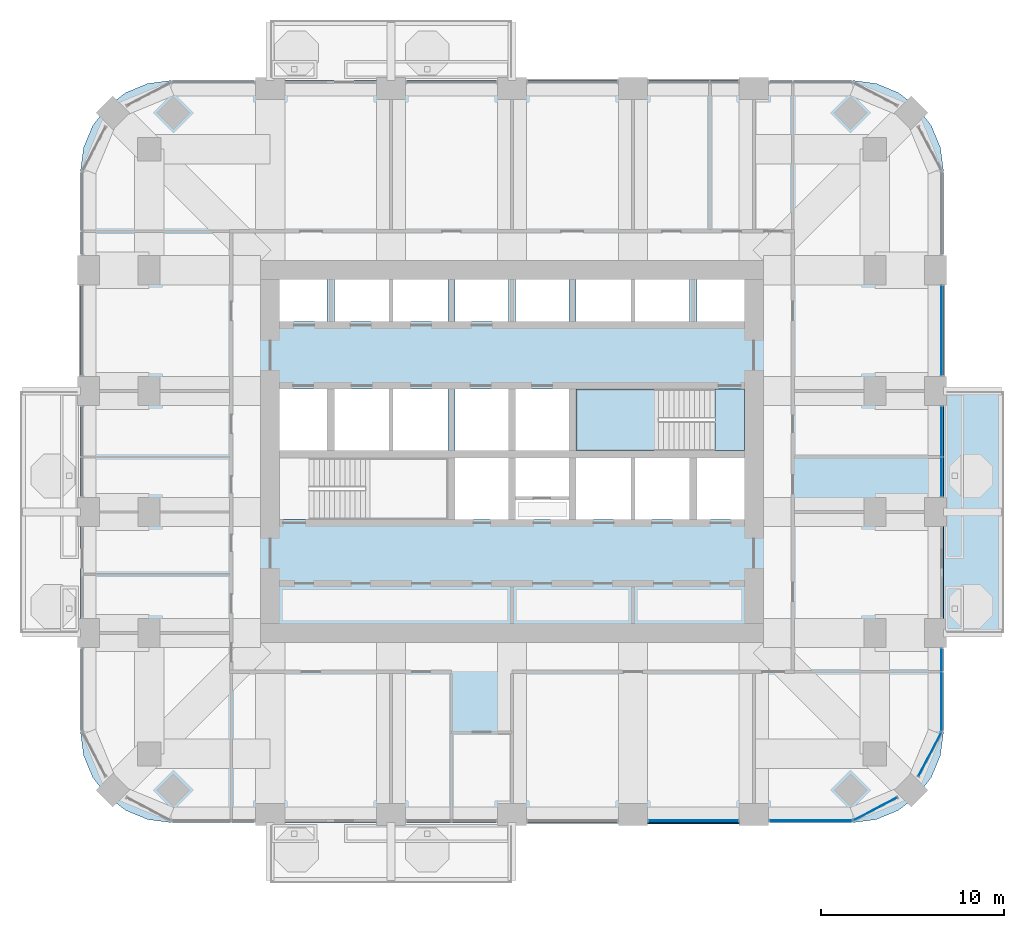
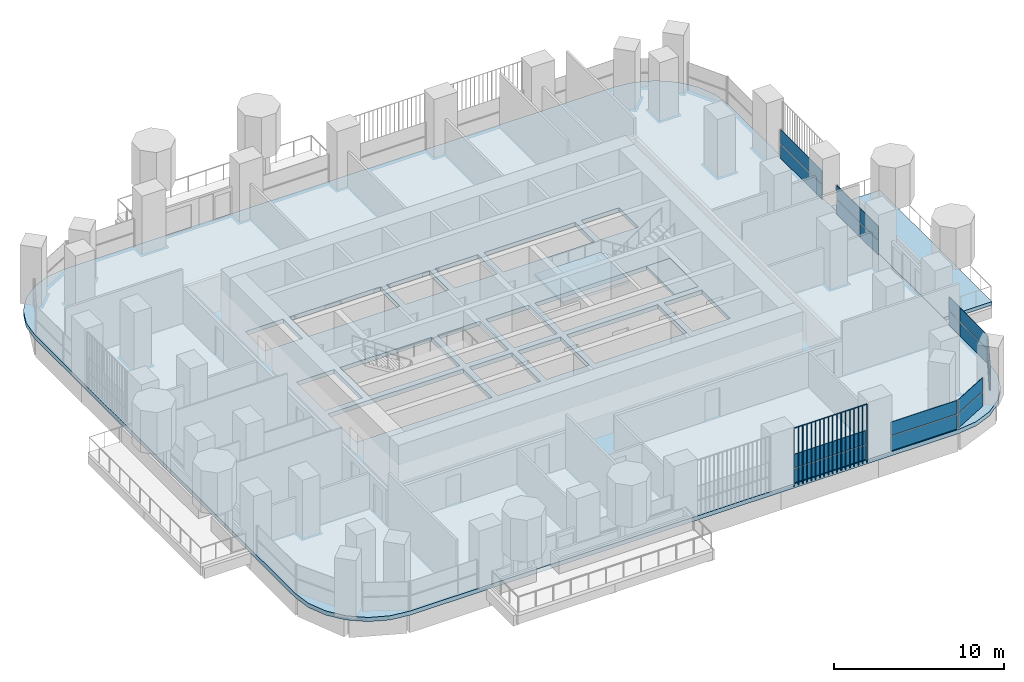
# One storey, part 9 of 20: 19 plates, 4 slabs, 8 elements without a shape of their own.
"""IFC4 building model written with IfcOpenShell, lengths in metres."""

from ifc_helpers import new_model, si_unit, direction, frame, origin, origin_2d, place, context, subcontext, project, spatial, polyline, rectangle, outline, extrude, material, layer, layer_set, type_object, element, aggregate, save


model = new_model("IFC4")

# Units and contexts
model_context = context("Model", 3, precision=1e-05, world=origin(), true_north=direction((0.0, 1.0)))
body_context = subcontext(model_context, "Body", "Model", "MODEL_VIEW")
ifc_project = project(units=[si_unit("LENGTHUNIT", "METRE"), si_unit("AREAUNIT", "SQUARE_METRE"), si_unit("VOLUMEUNIT", "CUBIC_METRE"), si_unit("PLANEANGLEUNIT", "RADIAN"), si_unit("MASSUNIT", "GRAM", prefix="KILO")], contexts=[model_context])

# Site, building, storey
site_placement = place(None, origin())
site = spatial("IfcSite", under=ifc_project, at=site_placement, CompositionType="ELEMENT")
building_placement = place(site_placement, origin())
building = spatial("IfcBuilding", under=site, at=building_placement, Name="Cobogo Forest Laboratory Tower", CompositionType="ELEMENT")
storey_placement = place(building_placement, frame((0.0, 0.0, 218.699951171875)))
storey = spatial("IfcBuildingStorey", under=building, at=storey_placement, Name="L50", CompositionType="ELEMENT", Elevation=218.699951171875)

# Slabs
ifc_material_1 = material(Name="Concrete HA-40 (C40/50)", Category="concrete")
ifc_layer_1 = layer(ifc_material_1, 0.25)
ifc_layer_set_1 = layer_set([ifc_layer_1], Name="Balcony slab 250")
slab_type_1 = type_object("IfcSlabType", Name="Balcony slab 250", PredefinedType="FLOOR", material=ifc_layer_set_1)
slab_1_placement = place(storey_placement, frame((0.0, 0.0, -0.25)))
element("IfcSlab", 1, at=slab_1_placement, inside=storey, type_object=slab_type_1, Name="Balcony BAL-E1 L50", PredefinedType="FLOOR", context=body_context, shape_type="SweptSolid", body=[
    extrude(outline(polyline([(49.949951171875, 13.199951171875), (53.25, 13.199951171875), (53.25, 26.39990234375), (49.949951171875, 26.39990234375), (49.949951171875, 13.199951171875)])), origin(), (0.0, 0.0, 1.0), 0.25),
])
ifc_layer_2 = layer(ifc_material_1, 0.300048828125)
ifc_layer_set_2 = layer_set([ifc_layer_2], Name="Floor slab 300")
slab_type_2 = type_object("IfcSlabType", Name="Floor slab 300", PredefinedType="FLOOR", material=ifc_layer_set_2)
slab_2_placement = place(storey_placement, frame((0.0, 0.0, -0.300048828125)))
element("IfcSlab", 2, at=slab_2_placement, inside=storey, type_object=slab_type_2, Name="L50 floor slab", PredefinedType="FLOOR", context=body_context, shape_type="SweptSolid", body=[
    extrude(outline(polyline([(45.0, 2.85009765625), (46.28125, 3.0185546875), (47.47509765625, 3.51318359375), (48.500244140625, 4.2998046875), (49.286865234375, 5.324951171875), (49.78125, 6.518798828125), (49.949951171875, 7.800048828125), (49.949951171875, 38.39990234375), (49.78125, 39.68115234375), (49.286865234375, 40.875), (48.500244140625, 41.900146484375), (47.47509765625, 42.686767578125), (46.28125, 43.181396484375), (45.0, 43.35009765625), (7.800048828125, 43.35009765625), (6.518798828125, 43.181396484375), (5.324951171875, 42.686767578125), (4.2998046875, 41.900146484375), (3.51318359375, 40.875), (3.0185546875, 39.68115234375), (2.85009765625, 38.39990234375), (2.85009765625, 7.800048828125), (3.0185546875, 6.518798828125), (3.51318359375, 5.324951171875), (4.2998046875, 4.2998046875), (5.324951171875, 3.51318359375), (6.518798828125, 3.0185546875), (7.800048828125, 2.85009765625), (45.0, 2.85009765625)]), holes=[polyline([(22.89990234375, 19.39990234375), (13.72509765625, 19.39990234375), (13.72509765625, 22.75), (22.89990234375, 22.75), (22.89990234375, 19.39990234375)]), polyline([(26.199951171875, 19.39990234375), (23.300048828125, 19.39990234375), (23.300048828125, 22.75), (26.199951171875, 22.75), (26.199951171875, 19.39990234375)]), polyline([(29.5, 19.39990234375), (26.60009765625, 19.39990234375), (26.60009765625, 22.75), (29.5, 22.75), (29.5, 19.39990234375)]), polyline([(36.10009765625, 22.75), (36.10009765625, 19.39990234375), (29.89990234375, 19.39990234375), (29.89990234375, 22.75), (36.10009765625, 22.75)]), polyline([(36.5, 19.39990234375), (36.5, 22.75), (39.074951171875, 22.75), (39.074951171875, 19.39990234375), (36.5, 19.39990234375)]), polyline([(16.300048828125, 23.14990234375), (13.72509765625, 23.14990234375), (13.72509765625, 26.5), (16.300048828125, 26.5), (16.300048828125, 23.14990234375)]), polyline([(22.89990234375, 26.5), (22.89990234375, 23.14990234375), (16.699951171875, 23.14990234375), (16.699951171875, 26.5), (22.89990234375, 26.5)]), polyline([(26.199951171875, 23.14990234375), (23.300048828125, 23.14990234375), (23.300048828125, 26.5), (26.199951171875, 26.5), (26.199951171875, 23.14990234375)]), polyline([(26.60009765625, 23.14990234375), (26.60009765625, 26.5), (29.5, 26.5), (29.5, 23.14990234375), (26.60009765625, 23.14990234375)]), polyline([(39.074951171875, 23.14990234375), (29.89990234375, 23.14990234375), (29.89990234375, 26.5), (39.074951171875, 26.5), (39.074951171875, 23.14990234375)]), polyline([(16.300048828125, 30.199951171875), (13.72509765625, 30.199951171875), (13.72509765625, 32.47509765625), (16.300048828125, 32.47509765625), (16.300048828125, 30.199951171875)]), polyline([(22.89990234375, 32.47509765625), (22.89990234375, 30.199951171875), (16.699951171875, 30.199951171875), (16.699951171875, 32.47509765625), (22.89990234375, 32.47509765625)]), polyline([(23.300048828125, 30.199951171875), (23.300048828125, 32.47509765625), (26.199951171875, 32.47509765625), (26.199951171875, 30.199951171875), (23.300048828125, 30.199951171875)]), polyline([(29.5, 30.199951171875), (26.60009765625, 30.199951171875), (26.60009765625, 32.47509765625), (29.5, 32.47509765625), (29.5, 30.199951171875)]), polyline([(36.10009765625, 32.47509765625), (36.10009765625, 30.199951171875), (29.89990234375, 30.199951171875), (29.89990234375, 32.47509765625), (36.10009765625, 32.47509765625)]), polyline([(36.5, 30.199951171875), (36.5, 32.47509765625), (39.074951171875, 32.47509765625), (39.074951171875, 30.199951171875), (36.5, 30.199951171875)])]), origin(), (0.0, 0.0, 1.0), 0.300048828125),
])

# Curtain wall, plates
ifc_material_2 = material(Name="Aluminium curtain wall", Category="aluminium")
curtain_wall_type = type_object("IfcCurtainWallType", Name="CW-2 unitised curtain wall, solar control glazing, laboratory floors zones C and D", PredefinedType="USERDEFINED", material=ifc_material_2)
curtain_wall_1_placement = place(storey_placement, origin())
curtain_wall_1 = element("IfcCurtainWall", 3, at=curtain_wall_1_placement, inside=storey, type_object=curtain_wall_type, Name="Curtain wall 05 L50", ObjectType="UNITISED CURTAIN WALL", PredefinedType="USERDEFINED")
ifc_material_3 = material(Name="Solar control insulated glass", Category="glass")
ifc_layer_3 = layer(ifc_material_3, 0.031982421875)
ifc_layer_set_3 = layer_set([ifc_layer_3], Name="GP-2 solar control glass unit 32")
plate_type_1 = type_object("IfcPlateType", Name="GP-2 solar control glass unit 32", PredefinedType="CURTAIN_PANEL", material=ifc_layer_set_3)
plate_1_placement = place(storey_placement, frame((36.300048828125, 2.949951171875, 0.0), z_axis=(0.0, 0.0, 1.0), x_axis=(1.0, 0.0, 0.0)))
plate_1 = element("IfcPlate", 4, at=plate_1_placement, type_object=plate_type_1, Name="CW-2 panel 1.1", PredefinedType="CURTAIN_PANEL", context=body_context, shape_type="SweptSolid", body=[
    extrude(rectangle(XDim=4.8798828125, YDim=0.031982421875, at=origin_2d()), origin(), (0.0, 0.0, 1.0), 1.02001953125),
])
plate_2_placement = place(storey_placement, frame((36.300048828125, 2.949951171875, 1.080078125), z_axis=(0.0, 0.0, 1.0), x_axis=(1.0, 0.0, 0.0)))
plate_2 = element("IfcPlate", 5, at=plate_2_placement, type_object=plate_type_1, Name="CW-2 panel 1.2", PredefinedType="CURTAIN_PANEL", context=body_context, shape_type="SweptSolid", body=[
    extrude(rectangle(XDim=4.8798828125, YDim=0.031982421875, at=origin_2d()), origin(), (0.0, 0.0, 1.0), 0.969970703125),
])
aggregate(curtain_wall_1, [plate_1, plate_2])

curtain_wall_2_placement = place(storey_placement, origin())
curtain_wall_2 = element("IfcCurtainWall", 6, at=curtain_wall_2_placement, inside=storey, type_object=curtain_wall_type, Name="Curtain wall 06 L50", ObjectType="UNITISED CURTAIN WALL", PredefinedType="USERDEFINED")
plate_3_placement = place(storey_placement, frame((42.699951171875, 2.949951171875, 0.0), z_axis=(0.0, 0.0, 1.0), x_axis=(1.0, 0.0, 0.0)))
plate_3 = element("IfcPlate", 7, at=plate_3_placement, type_object=plate_type_1, Name="CW-2 panel 1.1", PredefinedType="CURTAIN_PANEL", context=body_context, shape_type="SweptSolid", body=[
    extrude(rectangle(XDim=4.47998046875, YDim=0.031982421875, at=origin_2d()), origin(), (0.0, 0.0, 1.0), 1.02001953125),
])
plate_4_placement = place(storey_placement, frame((42.699951171875, 2.949951171875, 1.080078125), z_axis=(0.0, 0.0, 1.0), x_axis=(1.0, 0.0, 0.0)))
plate_4 = element("IfcPlate", 8, at=plate_4_placement, type_object=plate_type_1, Name="CW-2 panel 1.2", PredefinedType="CURTAIN_PANEL", context=body_context, shape_type="SweptSolid", body=[
    extrude(rectangle(XDim=4.47998046875, YDim=0.031982421875, at=origin_2d()), origin(), (0.0, 0.0, 1.0), 0.969970703125),
])
aggregate(curtain_wall_2, [plate_3, plate_4])

curtain_wall_3_placement = place(storey_placement, origin())
curtain_wall_3 = element("IfcCurtainWall", 9, at=curtain_wall_3_placement, inside=storey, type_object=curtain_wall_type, Name="Curtain wall 07 L50", ObjectType="UNITISED CURTAIN WALL", PredefinedType="USERDEFINED")
plate_5_placement = place(storey_placement, frame((46.229248046875, 3.59423828125, 0.0), z_axis=(0.0, 0.0, 1.0), x_axis=(0.885686547075, 0.464283685186, 0.0)))
plate_5 = element("IfcPlate", 10, at=plate_5_placement, type_object=plate_type_1, Name="CW-2 panel 1.1", PredefinedType="CURTAIN_PANEL", context=body_context, shape_type="SweptSolid", body=[
    extrude(rectangle(XDim=2.655517578125, YDim=0.031982421875, at=origin_2d()), origin(), (0.0, 0.0, 1.0), 1.02001953125),
])
plate_6_placement = place(storey_placement, frame((46.229248046875, 3.59423828125, 1.080078125), z_axis=(0.0, 0.0, 1.0), x_axis=(0.885686547075, 0.464283685186, 0.0)))
plate_6 = element("IfcPlate", 11, at=plate_6_placement, type_object=plate_type_1, Name="CW-2 panel 1.2", PredefinedType="CURTAIN_PANEL", context=body_context, shape_type="SweptSolid", body=[
    extrude(rectangle(XDim=2.655517578125, YDim=0.031982421875, at=origin_2d()), origin(), (0.0, 0.0, 1.0), 0.969970703125),
])
aggregate(curtain_wall_3, [plate_5, plate_6])

curtain_wall_4_placement = place(storey_placement, origin())
curtain_wall_4 = element("IfcCurtainWall", 12, at=curtain_wall_4_placement, inside=storey, type_object=curtain_wall_type, Name="Curtain wall 08 L50", ObjectType="UNITISED CURTAIN WALL", PredefinedType="USERDEFINED")
plate_7_placement = place(storey_placement, frame((49.20556640625, 6.57080078125, 0.0), z_axis=(0.0, 0.0, 1.0), x_axis=(0.464283685186, 0.885686547075, 0.0)))
plate_7 = element("IfcPlate", 13, at=plate_7_placement, type_object=plate_type_1, Name="CW-2 panel 1.1", PredefinedType="CURTAIN_PANEL", context=body_context, shape_type="SweptSolid", body=[
    extrude(rectangle(XDim=2.655517578125, YDim=0.031982421875, at=origin_2d()), origin(), (0.0, 0.0, 1.0), 1.02001953125),
])
plate_8_placement = place(storey_placement, frame((49.20556640625, 6.57080078125, 1.080078125), z_axis=(0.0, 0.0, 1.0), x_axis=(0.464283685186, 0.885686547075, 0.0)))
plate_8 = element("IfcPlate", 14, at=plate_8_placement, type_object=plate_type_1, Name="CW-2 panel 1.2", PredefinedType="CURTAIN_PANEL", context=body_context, shape_type="SweptSolid", body=[
    extrude(rectangle(XDim=2.655517578125, YDim=0.031982421875, at=origin_2d()), origin(), (0.0, 0.0, 1.0), 0.969970703125),
])
aggregate(curtain_wall_4, [plate_7, plate_8])

curtain_wall_5_placement = place(storey_placement, origin())
curtain_wall_5 = element("IfcCurtainWall", 15, at=curtain_wall_5_placement, inside=storey, type_object=curtain_wall_type, Name="Curtain wall 09 L50", ObjectType="UNITISED CURTAIN WALL", PredefinedType="USERDEFINED")
plate_9_placement = place(storey_placement, frame((49.85009765625, 9.452392578125, 0.0), z_axis=(0.0, 0.0, 1.0), x_axis=(0.0, 1.0, 0.0)))
plate_9 = element("IfcPlate", 16, at=plate_9_placement, type_object=plate_type_1, Name="CW-2 panel 1.1", PredefinedType="CURTAIN_PANEL", context=body_context, shape_type="SweptSolid", body=[
    extrude(rectangle(XDim=3.18505859375, YDim=0.031982421875, at=origin_2d()), origin(), (0.0, 0.0, 1.0), 1.02001953125),
])
plate_10_placement = place(storey_placement, frame((49.85009765625, 9.452392578125, 1.080078125), z_axis=(0.0, 0.0, 1.0), x_axis=(0.0, 1.0, 0.0)))
plate_10 = element("IfcPlate", 17, at=plate_10_placement, type_object=plate_type_1, Name="CW-2 panel 1.2", PredefinedType="CURTAIN_PANEL", context=body_context, shape_type="SweptSolid", body=[
    extrude(rectangle(XDim=3.18505859375, YDim=0.031982421875, at=origin_2d()), origin(), (0.0, 0.0, 1.0), 0.969970703125),
])
plate_11_placement = place(storey_placement, frame((49.85009765625, 11.722412109375, 0.0), z_axis=(0.0, 0.0, 1.0), x_axis=(0.0, 1.0, 0.0)))
plate_11 = element("IfcPlate", 18, at=plate_11_placement, type_object=plate_type_1, Name="CW-2 panel 2.1", PredefinedType="CURTAIN_PANEL", context=body_context, shape_type="SweptSolid", body=[
    extrude(rectangle(XDim=1.235107421875, YDim=0.031982421875, at=origin_2d()), origin(), (0.0, 0.0, 1.0), 1.02001953125),
])
plate_12_placement = place(storey_placement, frame((49.85009765625, 11.722412109375, 1.080078125), z_axis=(0.0, 0.0, 1.0), x_axis=(0.0, 1.0, 0.0)))
plate_12 = element("IfcPlate", 19, at=plate_12_placement, type_object=plate_type_1, Name="CW-2 panel 2.2", PredefinedType="CURTAIN_PANEL", context=body_context, shape_type="SweptSolid", body=[
    extrude(rectangle(XDim=1.235107421875, YDim=0.031982421875, at=origin_2d()), origin(), (0.0, 0.0, 1.0), 0.969970703125),
])
aggregate(curtain_wall_5, [plate_9, plate_10, plate_11, plate_12])

curtain_wall_6_placement = place(storey_placement, origin())
curtain_wall_6 = element("IfcCurtainWall", 20, at=curtain_wall_6_placement, inside=storey, type_object=curtain_wall_type, Name="Curtain wall 11 L50", ObjectType="UNITISED CURTAIN WALL", PredefinedType="USERDEFINED")
plate_13_placement = place(storey_placement, frame((49.85009765625, 21.715087890625, 0.0), z_axis=(0.0, 0.0, 1.0), x_axis=(0.0, 1.0, 0.0)))
plate_13 = element("IfcPlate", 21, at=plate_13_placement, type_object=plate_type_1, Name="CW-2 panel 1.1", PredefinedType="CURTAIN_PANEL", context=body_context, shape_type="SweptSolid", body=[
    extrude(rectangle(XDim=2.110107421875, YDim=0.031982421875, at=origin_2d()), origin(), (0.0, 0.0, 1.0), 1.02001953125),
])
plate_14_placement = place(storey_placement, frame((49.85009765625, 21.715087890625, 1.080078125), z_axis=(0.0, 0.0, 1.0), x_axis=(0.0, 1.0, 0.0)))
plate_14 = element("IfcPlate", 22, at=plate_14_placement, type_object=plate_type_1, Name="CW-2 panel 1.2", PredefinedType="CURTAIN_PANEL", context=body_context, shape_type="SweptSolid", body=[
    extrude(rectangle(XDim=2.110107421875, YDim=0.031982421875, at=origin_2d()), origin(), (0.0, 0.0, 1.0), 0.969970703125),
])
plate_15_placement = place(storey_placement, frame((49.85009765625, 24.18505859375, 0.0), z_axis=(0.0, 0.0, 1.0), x_axis=(0.0, 1.0, 0.0)))
plate_15 = element("IfcPlate", 23, at=plate_15_placement, type_object=plate_type_1, Name="CW-2 panel 2.1", PredefinedType="CURTAIN_PANEL", context=body_context, shape_type="SweptSolid", body=[
    extrude(rectangle(XDim=2.7099609375, YDim=0.031982421875, at=origin_2d()), origin(), (0.0, 0.0, 1.0), 1.02001953125),
])
plate_16_placement = place(storey_placement, frame((49.85009765625, 24.18505859375, 1.080078125), z_axis=(0.0, 0.0, 1.0), x_axis=(0.0, 1.0, 0.0)))
plate_16 = element("IfcPlate", 24, at=plate_16_placement, type_object=plate_type_1, Name="CW-2 panel 2.2", PredefinedType="CURTAIN_PANEL", context=body_context, shape_type="SweptSolid", body=[
    extrude(rectangle(XDim=2.7099609375, YDim=0.031982421875, at=origin_2d()), origin(), (0.0, 0.0, 1.0), 0.969970703125),
])
aggregate(curtain_wall_6, [plate_13, plate_14, plate_15, plate_16])

curtain_wall_7_placement = place(storey_placement, origin())
curtain_wall_7 = element("IfcCurtainWall", 25, at=curtain_wall_7_placement, inside=storey, type_object=curtain_wall_type, Name="Curtain wall 12 L50", ObjectType="UNITISED CURTAIN WALL", PredefinedType="USERDEFINED")
plate_17_placement = place(storey_placement, frame((49.85009765625, 29.699951171875, 0.0), z_axis=(0.0, 0.0, 1.0), x_axis=(0.0, 1.0, 0.0)))
plate_17 = element("IfcPlate", 26, at=plate_17_placement, type_object=plate_type_1, Name="CW-2 panel 1.1", PredefinedType="CURTAIN_PANEL", context=body_context, shape_type="SweptSolid", body=[
    extrude(rectangle(XDim=4.8798828125, YDim=0.031982421875, at=origin_2d()), origin(), (0.0, 0.0, 1.0), 1.02001953125),
])
plate_18_placement = place(storey_placement, frame((49.85009765625, 29.699951171875, 1.080078125), z_axis=(0.0, 0.0, 1.0), x_axis=(0.0, 1.0, 0.0)))
plate_18 = element("IfcPlate", 27, at=plate_18_placement, type_object=plate_type_1, Name="CW-2 panel 1.2", PredefinedType="CURTAIN_PANEL", context=body_context, shape_type="SweptSolid", body=[
    extrude(rectangle(XDim=4.8798828125, YDim=0.031982421875, at=origin_2d()), origin(), (0.0, 0.0, 1.0), 0.969970703125),
])
aggregate(curtain_wall_7, [plate_17, plate_18])

# Stair, slabs
ifc_material_4 = material(Name="Precast concrete HA-40 (C40/50)", Category="concrete")
stair_type = type_object("IfcStairType", Name="ST24 exit stair 24 risers", PredefinedType="HALF_TURN_STAIR", material=ifc_material_4)
stair_placement = place(storey_placement, origin())
stair = element("IfcStair", 28, at=stair_placement, inside=storey, type_object=stair_type, Name="Stair 2 L50 to L51", PredefinedType="HALF_TURN_STAIR")
ifc_layer_4 = layer(ifc_material_1, 0.199951171875)
ifc_layer_set_4 = layer_set([ifc_layer_4], Name="SL stair landing 200")
slab_type_3 = type_object("IfcSlabType", Name="SL stair landing 200", PredefinedType="LANDING", material=ifc_layer_set_4)
slab_3_placement = place(storey_placement, frame((0.0, 0.0, -0.199951171875)))
slab_3 = element("IfcSlab", 29, at=slab_3_placement, type_object=slab_type_3, Name="ST2 landing 1", PredefinedType="LANDING", context=body_context, shape_type="SweptSolid", body=[
    extrude(outline(polyline([(37.472900390625, 23.14990234375), (39.074951171875, 23.14990234375), (39.074951171875, 26.5), (37.472900390625, 26.5), (37.472900390625, 23.14990234375)])), origin(), (0.0, 0.0, 1.0), 0.199951171875),
])
slab_4_placement = place(storey_placement, frame((0.0, 0.0, 1.900146484375)))
slab_4 = element("IfcSlab", 30, at=slab_4_placement, type_object=slab_type_3, Name="ST2 landing 2", PredefinedType="LANDING", context=body_context, shape_type="SweptSolid", body=[
    extrude(outline(polyline([(29.89990234375, 23.14990234375), (34.39697265625, 23.14990234375), (34.39697265625, 26.5), (29.89990234375, 26.5), (29.89990234375, 23.14990234375)])), origin(), (0.0, 0.0, 1.0), 0.199951171875),
])
aggregate(stair, [slab_3, slab_4])

# Plate
ifc_material_5 = material(Name="Terracotta", Category="masonry")
plate_type_2 = type_object("IfcPlateType", Name="TB1 terracotta baguette screen", PredefinedType="USERDEFINED", material=ifc_material_5)
plate_19_placement = place(storey_placement, frame((33.831298828125, 2.822021484375, -0.14990234375)))
element("IfcPlate", 31, at=plate_19_placement, inside=storey, type_object=plate_type_2, Name="Baguette screen S4 L50", ObjectType="BAGUETTE SCREEN", PredefinedType="USERDEFINED", context=body_context, shape_type="SweptSolid", body=[
    extrude(outline(polyline([(0.02880859375, 0.011962890625), (0.011962890625, 0.02880859375), (-0.011962890625, 0.02880859375), (-0.02880859375, 0.011962890625), (-0.02880859375, -0.011962890625), (-0.011962890625, -0.02880859375), (0.011962890625, -0.02880859375), (0.02880859375, -0.011962890625), (0.02880859375, 0.011962890625)])), frame((0.0, 0.0, 4.168701171875), z_axis=(1.0, 0.0, 0.0), x_axis=(0.0, 1.0, 0.0)), (0.0, 0.0, 1.0), 4.9375),
    extrude(outline(polyline([(0.02880859375, 0.011962890625), (0.011962890625, 0.02880859375), (-0.011962890625, 0.02880859375), (-0.02880859375, 0.011962890625), (-0.02880859375, -0.011962890625), (-0.011962890625, -0.02880859375), (0.011962890625, -0.02880859375), (0.02880859375, -0.011962890625), (0.02880859375, 0.011962890625)])), origin(), (0.0, 0.0, 1.0), 4.137451171875),
    extrude(outline(polyline([(0.02880859375, 0.011962890625), (0.011962890625, 0.02880859375), (-0.011962890625, 0.02880859375), (-0.02880859375, 0.011962890625), (-0.02880859375, -0.011962890625), (-0.011962890625, -0.02880859375), (0.011962890625, -0.02880859375), (0.02880859375, -0.011962890625), (0.02880859375, 0.011962890625)])), frame((0.29052734375, 0.0, 0.0)), (0.0, 0.0, 1.0), 4.137451171875),
    extrude(outline(polyline([(0.02880859375, 0.011962890625), (0.011962890625, 0.02880859375), (-0.011962890625, 0.02880859375), (-0.02880859375, 0.011962890625), (-0.02880859375, -0.011962890625), (-0.011962890625, -0.02880859375), (0.011962890625, -0.02880859375), (0.02880859375, -0.011962890625), (0.02880859375, 0.011962890625)])), frame((0.580810546875, 0.0, 0.0)), (0.0, 0.0, 1.0), 4.137451171875),
    extrude(outline(polyline([(0.02880859375, 0.011962890625), (0.011962890625, 0.02880859375), (-0.011962890625, 0.02880859375), (-0.02880859375, 0.011962890625), (-0.02880859375, -0.011962890625), (-0.011962890625, -0.02880859375), (0.011962890625, -0.02880859375), (0.02880859375, -0.011962890625), (0.02880859375, 0.011962890625)])), frame((0.871337890625, 0.0, 0.0)), (0.0, 0.0, 1.0), 4.137451171875),
    extrude(outline(polyline([(0.02880859375, 0.011962890625), (0.011962890625, 0.02880859375), (-0.011962890625, 0.02880859375), (-0.02880859375, 0.011962890625), (-0.02880859375, -0.011962890625), (-0.011962890625, -0.02880859375), (0.011962890625, -0.02880859375), (0.02880859375, -0.011962890625), (0.02880859375, 0.011962890625)])), frame((1.161865234375, 0.0, 0.0)), (0.0, 0.0, 1.0), 4.137451171875),
    extrude(outline(polyline([(0.02880859375, 0.011962890625), (0.011962890625, 0.02880859375), (-0.011962890625, 0.02880859375), (-0.02880859375, 0.011962890625), (-0.02880859375, -0.011962890625), (-0.011962890625, -0.02880859375), (0.011962890625, -0.02880859375), (0.02880859375, -0.011962890625), (0.02880859375, 0.011962890625)])), frame((1.4521484375, 0.0, 0.0)), (0.0, 0.0, 1.0), 4.137451171875),
    extrude(outline(polyline([(0.02880859375, 0.011962890625), (0.011962890625, 0.02880859375), (-0.011962890625, 0.02880859375), (-0.02880859375, 0.011962890625), (-0.02880859375, -0.011962890625), (-0.011962890625, -0.02880859375), (0.011962890625, -0.02880859375), (0.02880859375, -0.011962890625), (0.02880859375, 0.011962890625)])), frame((1.74267578125, 0.0, 0.0)), (0.0, 0.0, 1.0), 4.137451171875),
    extrude(outline(polyline([(0.02880859375, 0.011962890625), (0.011962890625, 0.02880859375), (-0.011962890625, 0.02880859375), (-0.02880859375, 0.011962890625), (-0.02880859375, -0.011962890625), (-0.011962890625, -0.02880859375), (0.011962890625, -0.02880859375), (0.02880859375, -0.011962890625), (0.02880859375, 0.011962890625)])), frame((2.033203125, 0.0, 0.0)), (0.0, 0.0, 1.0), 4.137451171875),
    extrude(outline(polyline([(0.02880859375, 0.011962890625), (0.011962890625, 0.02880859375), (-0.011962890625, 0.02880859375), (-0.02880859375, 0.011962890625), (-0.02880859375, -0.011962890625), (-0.011962890625, -0.02880859375), (0.011962890625, -0.02880859375), (0.02880859375, -0.011962890625), (0.02880859375, 0.011962890625)])), frame((2.323486328125, 0.0, 0.0)), (0.0, 0.0, 1.0), 4.137451171875),
    extrude(outline(polyline([(0.02880859375, 0.011962890625), (0.011962890625, 0.02880859375), (-0.011962890625, 0.02880859375), (-0.02880859375, 0.011962890625), (-0.02880859375, -0.011962890625), (-0.011962890625, -0.02880859375), (0.011962890625, -0.02880859375), (0.02880859375, -0.011962890625), (0.02880859375, 0.011962890625)])), frame((2.614013671875, 0.0, 0.0)), (0.0, 0.0, 1.0), 4.137451171875),
    extrude(outline(polyline([(0.02880859375, 0.011962890625), (0.011962890625, 0.02880859375), (-0.011962890625, 0.02880859375), (-0.02880859375, 0.011962890625), (-0.02880859375, -0.011962890625), (-0.011962890625, -0.02880859375), (0.011962890625, -0.02880859375), (0.02880859375, -0.011962890625), (0.02880859375, 0.011962890625)])), frame((2.904296875, 0.0, 0.0)), (0.0, 0.0, 1.0), 4.137451171875),
    extrude(outline(polyline([(0.02880859375, 0.011962890625), (0.011962890625, 0.02880859375), (-0.011962890625, 0.02880859375), (-0.02880859375, 0.011962890625), (-0.02880859375, -0.011962890625), (-0.011962890625, -0.02880859375), (0.011962890625, -0.02880859375), (0.02880859375, -0.011962890625), (0.02880859375, 0.011962890625)])), frame((3.19482421875, 0.0, 0.0)), (0.0, 0.0, 1.0), 4.137451171875),
    extrude(outline(polyline([(0.02880859375, 0.011962890625), (0.011962890625, 0.02880859375), (-0.011962890625, 0.02880859375), (-0.02880859375, 0.011962890625), (-0.02880859375, -0.011962890625), (-0.011962890625, -0.02880859375), (0.011962890625, -0.02880859375), (0.02880859375, -0.011962890625), (0.02880859375, 0.011962890625)])), frame((3.4853515625, 0.0, 0.0)), (0.0, 0.0, 1.0), 4.137451171875),
    extrude(outline(polyline([(0.02880859375, 0.011962890625), (0.011962890625, 0.02880859375), (-0.011962890625, 0.02880859375), (-0.02880859375, 0.011962890625), (-0.02880859375, -0.011962890625), (-0.011962890625, -0.02880859375), (0.011962890625, -0.02880859375), (0.02880859375, -0.011962890625), (0.02880859375, 0.011962890625)])), frame((3.775634765625, 0.0, 0.0)), (0.0, 0.0, 1.0), 4.137451171875),
    extrude(outline(polyline([(0.02880859375, 0.011962890625), (0.011962890625, 0.02880859375), (-0.011962890625, 0.02880859375), (-0.02880859375, 0.011962890625), (-0.02880859375, -0.011962890625), (-0.011962890625, -0.02880859375), (0.011962890625, -0.02880859375), (0.02880859375, -0.011962890625), (0.02880859375, 0.011962890625)])), frame((4.066162109375, 0.0, 0.0)), (0.0, 0.0, 1.0), 4.137451171875),
    extrude(outline(polyline([(0.02880859375, 0.011962890625), (0.011962890625, 0.02880859375), (-0.011962890625, 0.02880859375), (-0.02880859375, 0.011962890625), (-0.02880859375, -0.011962890625), (-0.011962890625, -0.02880859375), (0.011962890625, -0.02880859375), (0.02880859375, -0.011962890625), (0.02880859375, 0.011962890625)])), frame((4.356689453125, 0.0, 0.0)), (0.0, 0.0, 1.0), 4.137451171875),
    extrude(outline(polyline([(0.02880859375, 0.011962890625), (0.011962890625, 0.02880859375), (-0.011962890625, 0.02880859375), (-0.02880859375, 0.011962890625), (-0.02880859375, -0.011962890625), (-0.011962890625, -0.02880859375), (0.011962890625, -0.02880859375), (0.02880859375, -0.011962890625), (0.02880859375, 0.011962890625)])), frame((4.64697265625, 0.0, 0.0)), (0.0, 0.0, 1.0), 4.137451171875),
    extrude(outline(polyline([(0.02880859375, 0.011962890625), (0.011962890625, 0.02880859375), (-0.011962890625, 0.02880859375), (-0.02880859375, 0.011962890625), (-0.02880859375, -0.011962890625), (-0.011962890625, -0.02880859375), (0.011962890625, -0.02880859375), (0.02880859375, -0.011962890625), (0.02880859375, 0.011962890625)])), frame((4.9375, 0.0, 0.0)), (0.0, 0.0, 1.0), 4.137451171875),
])

save(model, "model.ifc")
